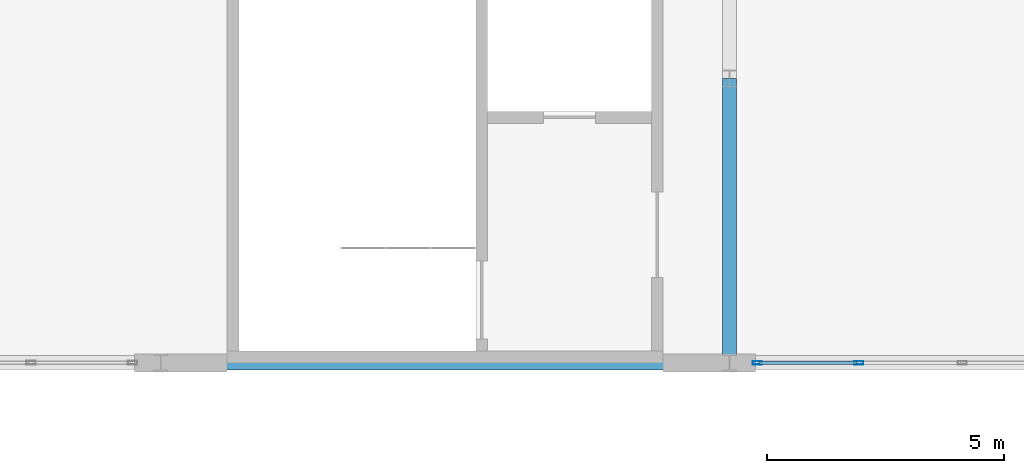
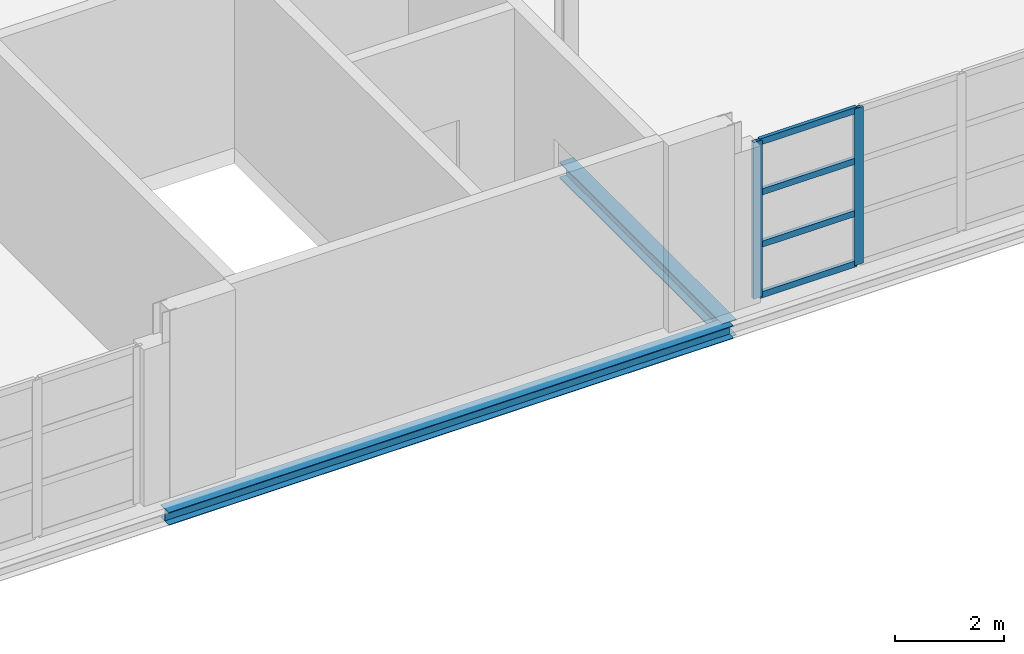
# One storey, part 30 of 147: 6 members, 2 beams, 1 element without a shape of its own.
"""IFC4 building model written with IfcOpenShell, lengths in metres."""

from ifc_helpers import new_model, si_unit, direction, frame, origin, origin_2d, place, context, subcontext, project, spatial, hollow_rectangle, i_section, extrude, material, layer, layer_set, material_profile, profile_set, type_object, element, aggregate, save


model = new_model("IFC4")

# Units and contexts
model_context = context("Model", 3, precision=1e-05, world=origin(), true_north=direction((0.0, 1.0)))
body_context = subcontext(model_context, "Body", "Model", "MODEL_VIEW")
ifc_project = project(units=[si_unit("LENGTHUNIT", "METRE"), si_unit("AREAUNIT", "SQUARE_METRE"), si_unit("VOLUMEUNIT", "CUBIC_METRE"), si_unit("PLANEANGLEUNIT", "RADIAN"), si_unit("MASSUNIT", "GRAM", prefix="KILO")], contexts=[model_context])

# Site, building, storey
site_placement = place(None, origin())
site = spatial("IfcSite", under=ifc_project, at=site_placement, CompositionType="ELEMENT")
building_placement = place(site_placement, origin())
building = spatial("IfcBuilding", under=site, at=building_placement, Name="Zilviju Railside Exhibition Hall", CompositionType="ELEMENT")
storey_placement = place(building_placement, frame((0.0, 0.0, 8.39990234375)))
storey = spatial("IfcBuildingStorey", under=building, at=storey_placement, Name="L03", CompositionType="ELEMENT", Elevation=8.39990234375)

# Beams
ifc_material_1 = material(Name="Steel S355J2", Category="steel")
ifc_material_profile_1 = material_profile(ifc_material_1, i_section(OverallWidth=0.300048828125, OverallDepth=0.2900390625, WebThickness=0.008544921875, FlangeThickness=0.013916015625, at=origin_2d()), Name="HEA 300")
ifc_profile_set_1 = profile_set([ifc_material_profile_1], Name="Steel S355J2")
beam_type_1 = type_object("IfcBeamType", Name="BM-HEA300", PredefinedType="SPANDREL", material=ifc_profile_set_1)
beam_1_placement = place(storey_placement, frame((12.0, 36.0, -0.494873046875), z_axis=(1.0, 0.0, 0.0), x_axis=(0.0, 1.0, 0.0)))
element("IfcBeam", 1, at=beam_1_placement, inside=storey, type_object=beam_type_1, Name="Primary Girder L03 Y=36.0 (12.0..24.0)", PredefinedType="SPANDREL", context=body_context, shape_type="SweptSolid", body=[
    extrude(i_section(OverallWidth=0.300048828125, OverallDepth=0.2900390625, WebThickness=0.008544921875, FlangeThickness=0.013916015625, at=origin_2d()), origin(), (0.0, 0.0, 1.0), 12.0),
])
ifc_material_profile_2 = material_profile(ifc_material_1, i_section(OverallWidth=0.300048828125, OverallDepth=0.360107421875, WebThickness=0.012451171875, FlangeThickness=0.0224609375, at=origin_2d()), Name="HEB 360")
ifc_profile_set_2 = profile_set([ifc_material_profile_2], Name="Steel S355J2")
beam_type_2 = type_object("IfcBeamType", Name="BM-HEB360", PredefinedType="BEAM", material=ifc_profile_set_2)
beam_2_placement = place(storey_placement, frame((24.0, 36.0, -0.52978515625), z_axis=(0.0, 1.0, 0.0), x_axis=(-1.0, 0.0, 0.0)))
element("IfcBeam", 2, at=beam_2_placement, inside=storey, type_object=beam_type_2, Name="Transverse Girder L03 X=24.0 (36.0..42.0)", PredefinedType="BEAM", context=body_context, shape_type="SweptSolid", body=[
    extrude(i_section(OverallWidth=0.300048828125, OverallDepth=0.360107421875, WebThickness=0.012451171875, FlangeThickness=0.0224609375, at=origin_2d()), origin(), (0.0, 0.0, 1.0), 6.0),
])

# Curtain wall, members
ifc_material_2 = material(Name="Thermally broken aluminium-steel triple-glazed curtain wall", Category="steel")
ifc_layer = layer(ifc_material_2, 0.179931640625)
ifc_layer_set = layer_set([ifc_layer], Name="Thermally broken aluminium-steel triple-glazed curtain wall")
curtain_wall_type = type_object("IfcCurtainWallType", Name="CW-BAY-01", PredefinedType="USERDEFINED", material=ifc_layer_set)
curtain_wall_placement = place(storey_placement, origin())
curtain_wall = element("IfcCurtainWall", 3, at=curtain_wall_placement, inside=storey, type_object=curtain_wall_type, Name="Congress Forecourt Curtain Wall L03 (24..36)", ObjectType="GLAZED CURTAIN WALL", PredefinedType="USERDEFINED")
ifc_material_3 = material(Name="Thermally broken anodized aluminium mullion", Category="aluminium")
ifc_material_profile_3 = material_profile(ifc_material_3, hollow_rectangle(XDim=0.074951171875, YDim=0.18994140625, WallThickness=0.0048828125, at=origin_2d()), Name="MULLION 190x75x5")
ifc_profile_set_3 = profile_set([ifc_material_profile_3], Name="Thermally broken anodized aluminium mullion")
member_type_1 = type_object("IfcMemberType", Name="CWM-75x190", PredefinedType="MULLION", material=ifc_profile_set_3)
member_1_placement = place(storey_placement, frame((26.72998046875, 36.0, 0.0), z_axis=(0.0, 0.0, 1.0), x_axis=(0.0, -1.0, 0.0)))
member_1 = element("IfcMember", 4, at=member_1_placement, type_object=member_type_1, Name="CW-01 mullion 5", PredefinedType="MULLION", context=body_context, shape_type="SweptSolid", body=[
    extrude(hollow_rectangle(XDim=0.074951171875, YDim=0.18994140625, WallThickness=0.0048828125, at=origin_2d()), origin(), (0.0, 0.0, 1.0), 3.52001953125),
])
member_2_placement = place(storey_placement, frame((24.58740234375, 36.0, 0.0), z_axis=(0.0, 0.0, 1.0), x_axis=(0.0, -1.0, 0.0)))
member_2 = element("IfcMember", 5, at=member_2_placement, type_object=member_type_1, Name="CW-01 mullion 6", PredefinedType="MULLION", context=body_context, shape_type="SweptSolid", body=[
    extrude(hollow_rectangle(XDim=0.074951171875, YDim=0.18994140625, WallThickness=0.0048828125, at=origin_2d()), origin(), (0.0, 0.0, 1.0), 3.52001953125),
])
ifc_material_4 = material(Name="Thermally broken anodized aluminium transom", Category="aluminium")
ifc_material_profile_4 = material_profile(ifc_material_4, hollow_rectangle(XDim=0.074951171875, YDim=0.139892578125, WallThickness=0.0048828125, at=origin_2d()), Name="TRANSOM 140x75x5")
ifc_profile_set_4 = profile_set([ifc_material_profile_4], Name="Thermally broken anodized aluminium transom")
member_type_2 = type_object("IfcMemberType", Name="CWT-75x140", PredefinedType="USERDEFINED", material=ifc_profile_set_4)
member_3_placement = place(storey_placement, frame((26.6923828125, 36.0, 0.03759765625), z_axis=(-1.0, 0.0, 0.0), x_axis=(0.0, -1.0, 0.0)))
member_3 = element("IfcMember", 6, at=member_3_placement, type_object=member_type_2, Name="CW-01 transom 5.1", ObjectType="TRANSOM", PredefinedType="USERDEFINED", context=body_context, shape_type="SweptSolid", body=[
    extrude(hollow_rectangle(XDim=0.074951171875, YDim=0.139892578125, WallThickness=0.0048828125, at=origin_2d()), origin(), (0.0, 0.0, 1.0), 2.0673828125),
])
member_4_placement = place(storey_placement, frame((26.6923828125, 36.0, 1.173095703125), z_axis=(-1.0, 0.0, 0.0), x_axis=(0.0, -1.0, 0.0)))
member_4 = element("IfcMember", 7, at=member_4_placement, type_object=member_type_2, Name="CW-01 transom 5.2", ObjectType="TRANSOM", PredefinedType="USERDEFINED", context=body_context, shape_type="SweptSolid", body=[
    extrude(hollow_rectangle(XDim=0.074951171875, YDim=0.139892578125, WallThickness=0.0048828125, at=origin_2d()), origin(), (0.0, 0.0, 1.0), 2.0673828125),
])
member_5_placement = place(storey_placement, frame((26.6923828125, 36.0, 2.34716796875), z_axis=(-1.0, 0.0, 0.0), x_axis=(0.0, -1.0, 0.0)))
member_5 = element("IfcMember", 8, at=member_5_placement, type_object=member_type_2, Name="CW-01 transom 5.3", ObjectType="TRANSOM", PredefinedType="USERDEFINED", context=body_context, shape_type="SweptSolid", body=[
    extrude(hollow_rectangle(XDim=0.074951171875, YDim=0.139892578125, WallThickness=0.0048828125, at=origin_2d()), origin(), (0.0, 0.0, 1.0), 2.0673828125),
])
member_6_placement = place(storey_placement, frame((26.6923828125, 36.0, 3.482666015625), z_axis=(-1.0, 0.0, 0.0), x_axis=(0.0, -1.0, 0.0)))
member_6 = element("IfcMember", 9, at=member_6_placement, type_object=member_type_2, Name="CW-01 transom 5.4", ObjectType="TRANSOM", PredefinedType="USERDEFINED", context=body_context, shape_type="SweptSolid", body=[
    extrude(hollow_rectangle(XDim=0.074951171875, YDim=0.139892578125, WallThickness=0.0048828125, at=origin_2d()), origin(), (0.0, 0.0, 1.0), 2.0673828125),
])
aggregate(curtain_wall, [member_1, member_2, member_3, member_4, member_5, member_6])

save(model, "model.ifc")
